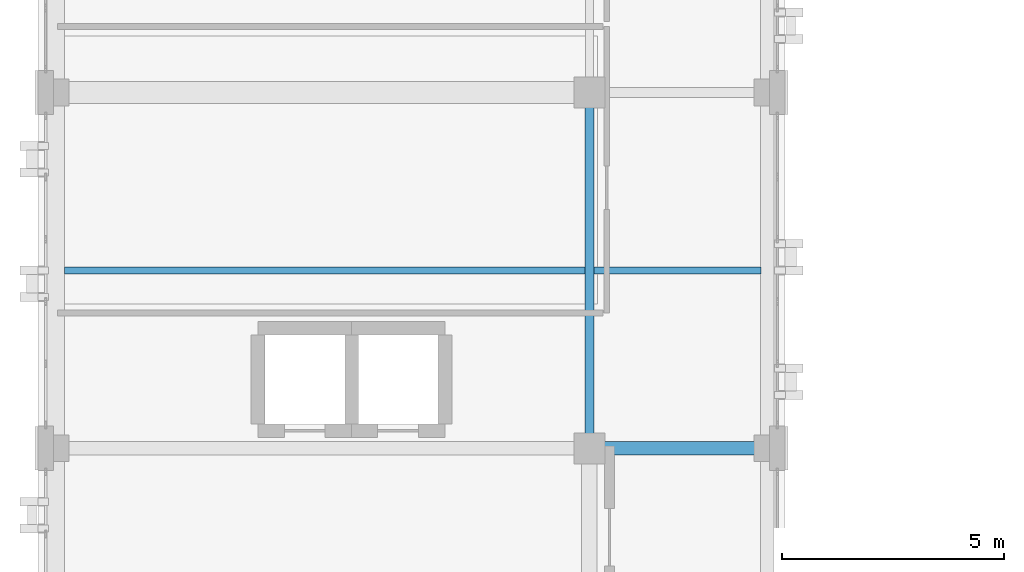
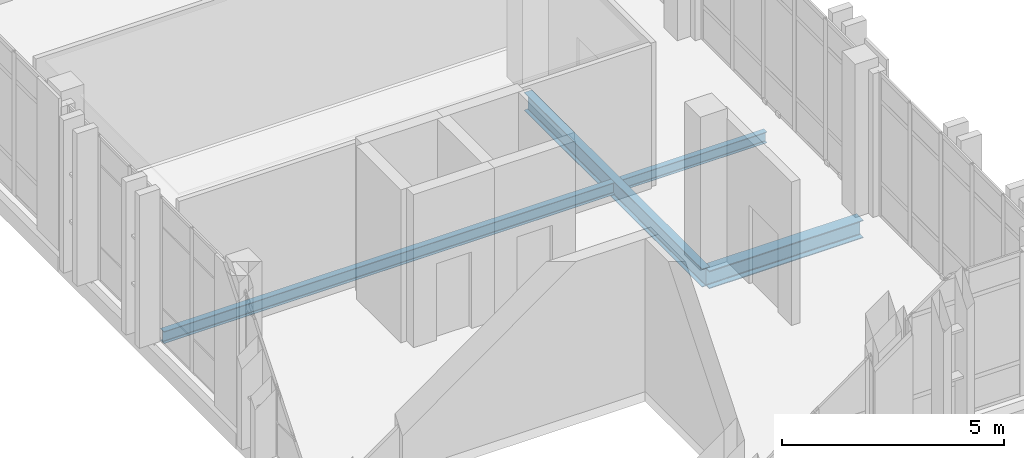
# One storey, part 6 of 48: 4 beams.
"""IFC4 building model written with IfcOpenShell, lengths in metres."""

from ifc_helpers import new_model, si_unit, direction, frame, origin, origin_2d, place, context, subcontext, project, spatial, i_section, extrude, material, material_profile, profile_set, type_object, element, save


model = new_model("IFC4")

# Units and contexts
model_context = context("Model", 3, precision=1e-05, world=origin(), true_north=direction((0.0, 1.0)))
body_context = subcontext(model_context, "Body", "Model", "MODEL_VIEW")
ifc_project = project(units=[si_unit("LENGTHUNIT", "METRE"), si_unit("AREAUNIT", "SQUARE_METRE"), si_unit("VOLUMEUNIT", "CUBIC_METRE"), si_unit("PLANEANGLEUNIT", "RADIAN"), si_unit("MASSUNIT", "GRAM", prefix="KILO")], contexts=[model_context])

# Site, building, storey
site_placement = place(None, origin())
site = spatial("IfcSite", under=ifc_project, at=site_placement, CompositionType="ELEMENT")
building_placement = place(site_placement, origin())
building = spatial("IfcBuilding", under=site, at=building_placement, Name="Qalavern Law Courts", CompositionType="ELEMENT")
storey_placement = place(building_placement, frame((0.0, 0.0, 31.199951171875)))
storey = spatial("IfcBuildingStorey", under=building, at=storey_placement, Name="L07", CompositionType="ELEMENT", Elevation=31.199951171875)

# Beams
ifc_material = material(Name="Steel S355", Category="steel")
ifc_material_profile_1 = material_profile(ifc_material, i_section(OverallWidth=0.300048828125, OverallDepth=0.489990234375, WebThickness=0.011962890625, FlangeThickness=0.02294921875, FilletRadius=0.027099609375, at=origin_2d()), Name="HEA 500")
ifc_profile_set_1 = profile_set([ifc_material_profile_1], Name="Steel S355")
beam_type_1 = type_object("IfcBeamType", Name="STR-BM-HEA500", PredefinedType="BEAM", material=ifc_profile_set_1)
beam_1_placement = place(storey_placement, frame((14.39990234375, 49.39990234375, -0.510009765625), z_axis=(1.0, 0.0, 0.0), x_axis=(0.0, 1.0, 0.0)))
element("IfcBeam", 1, at=beam_1_placement, inside=storey, type_object=beam_type_1, Name="V3 X-beam 2-2 L07", PredefinedType="BEAM", context=body_context, shape_type="SweptSolid", body=[
    extrude(i_section(OverallWidth=0.300048828125, OverallDepth=0.489990234375, WebThickness=0.011962890625, FlangeThickness=0.02294921875, FilletRadius=0.027099609375, at=origin_2d()), origin(), (0.0, 0.0, 1.0), 4.0),
])
ifc_material_profile_2 = material_profile(ifc_material, i_section(OverallWidth=0.199951171875, OverallDepth=0.5, WebThickness=0.01025390625, FlangeThickness=0.01611328125, FilletRadius=0.02099609375, at=origin_2d()), Name="IPE 500")
ifc_profile_set_2 = profile_set([ifc_material_profile_2], Name="Steel S355")
beam_type_2 = type_object("IfcBeamType", Name="STR-BM-IPE500", PredefinedType="BEAM", material=ifc_profile_set_2)
beam_2_placement = place(storey_placement, frame((14.39990234375, 49.39990234375, -0.514892578125), z_axis=(0.0, 1.0, 0.0), x_axis=(-1.0, 0.0, 0.0)))
element("IfcBeam", 2, at=beam_2_placement, inside=storey, type_object=beam_type_2, Name="V3 Y-beam 2-2 L07", PredefinedType="BEAM", context=body_context, shape_type="SweptSolid", body=[
    extrude(i_section(OverallWidth=0.199951171875, OverallDepth=0.5, WebThickness=0.01025390625, FlangeThickness=0.01611328125, FilletRadius=0.02099609375, at=origin_2d()), origin(), (0.0, 0.0, 1.0), 8.0),
])
ifc_material_profile_3 = material_profile(ifc_material, i_section(OverallWidth=0.14990234375, OverallDepth=0.300048828125, WebThickness=0.007080078125, FlangeThickness=0.0107421875, FilletRadius=0.014892578125, at=origin_2d()), Name="IPE 300")
ifc_profile_set_3 = profile_set([ifc_material_profile_3], Name="Steel S355")
beam_type_3 = type_object("IfcBeamType", Name="STR-JST-IPE300", PredefinedType="JOIST", material=ifc_profile_set_3)
beam_3_placement = place(storey_placement, frame((14.498046875, 53.39990234375, -0.4150390625), z_axis=(1.0, 0.0, 0.0), x_axis=(0.0, 1.0, 0.0)))
element("IfcBeam", 3, at=beam_3_placement, inside=storey, type_object=beam_type_3, Name="V3 secondary joist 2.2.1 L07", PredefinedType="JOIST", context=body_context, shape_type="SweptSolid", body=[
    extrude(i_section(OverallWidth=0.14990234375, OverallDepth=0.300048828125, WebThickness=0.007080078125, FlangeThickness=0.0107421875, FilletRadius=0.014892578125, at=origin_2d()), origin(), (0.0, 0.0, 1.0), 3.75390625),
])
ifc_material_profile_4 = material_profile(ifc_material, i_section(OverallWidth=0.159912109375, OverallDepth=0.330078125, WebThickness=0.007568359375, FlangeThickness=0.011474609375, FilletRadius=0.01806640625, at=origin_2d()), Name="IPE 330")
ifc_profile_set_4 = profile_set([ifc_material_profile_4], Name="Steel S355")
beam_type_4 = type_object("IfcBeamType", Name="STR-JST-IPE330", PredefinedType="JOIST", material=ifc_profile_set_4)
beam_4_placement = place(storey_placement, frame((2.597900390625, 53.39990234375, -0.429931640625), z_axis=(1.0, 0.0, 0.0), x_axis=(0.0, 1.0, 0.0)))
element("IfcBeam", 4, at=beam_4_placement, inside=storey, type_object=beam_type_4, Name="V3 secondary joist 1.2.1 L07", PredefinedType="JOIST", context=body_context, shape_type="SweptSolid", body=[
    extrude(i_section(OverallWidth=0.159912109375, OverallDepth=0.330078125, WebThickness=0.007568359375, FlangeThickness=0.011474609375, FilletRadius=0.01806640625, at=origin_2d()), origin(), (0.0, 0.0, 1.0), 11.7041015625),
])

save(model, "model.ifc")
